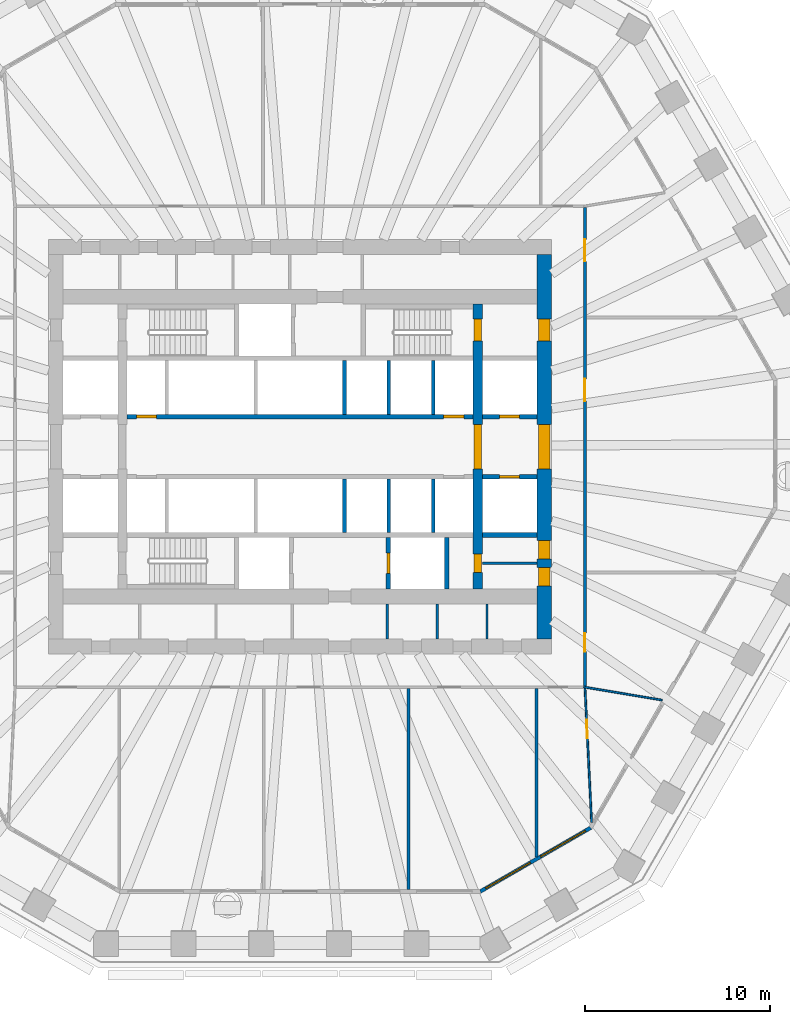
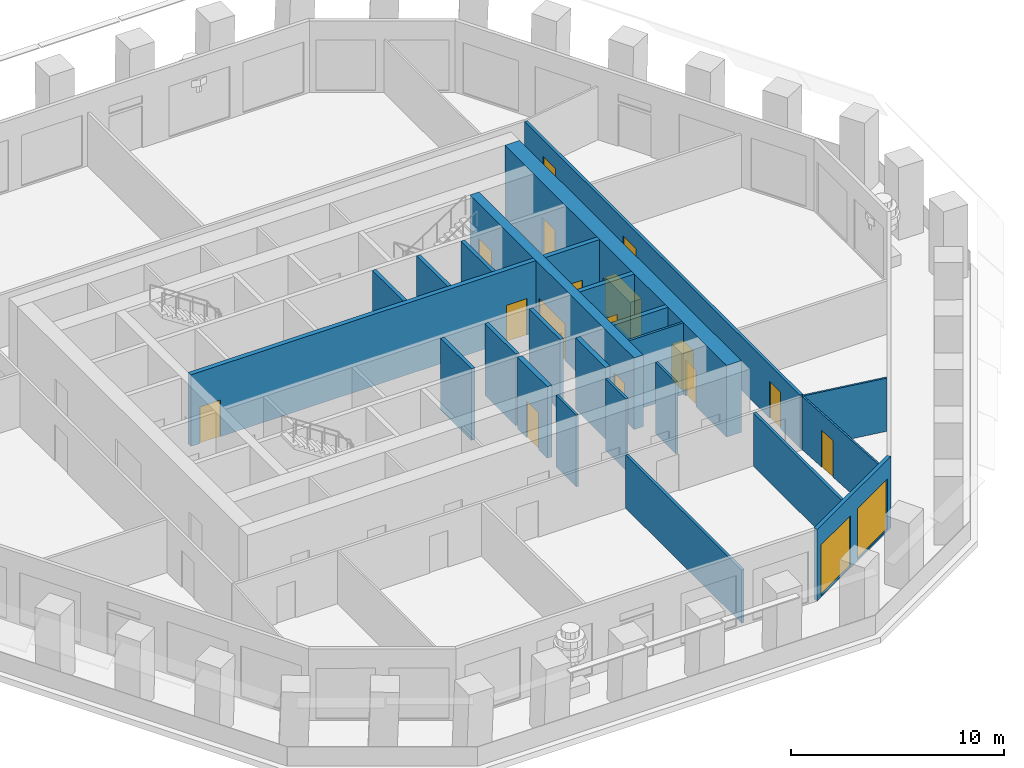
# One storey, part 5 of 12: 24 walls, 16 doors, 2 windows, 18 openings.
"""IFC4 building model written with IfcOpenShell, lengths in metres."""

from ifc_helpers import new_model, si_unit, direction, frame, frame_2d, origin, place, context, subcontext, project, spatial, polyline, rectangle, outline, extrude, material, layer, layer_set, type_object, element, fill, save


model = new_model("IFC4")

# Units and contexts
model_context = context("Model", 3, precision=1e-05, world=origin(), true_north=direction((0.0, 1.0)))
body_context = subcontext(model_context, "Body", "Model", "MODEL_VIEW")
ifc_project = project(units=[si_unit("LENGTHUNIT", "METRE"), si_unit("AREAUNIT", "SQUARE_METRE"), si_unit("VOLUMEUNIT", "CUBIC_METRE"), si_unit("PLANEANGLEUNIT", "RADIAN"), si_unit("MASSUNIT", "GRAM", prefix="KILO")], contexts=[model_context])

# Site, building, storey
site_placement = place(None, origin())
site = spatial("IfcSite", under=ifc_project, at=site_placement, CompositionType="ELEMENT")
building_placement = place(site_placement, origin())
building = spatial("IfcBuilding", under=site, at=building_placement, Name="Frailejon Research Tower", CompositionType="ELEMENT")
storey_placement = place(building_placement, frame((0.0, 0.0, 85.199951171875)))
storey = spatial("IfcBuildingStorey", under=building, at=storey_placement, Name="L18", CompositionType="ELEMENT", Elevation=85.199951171875)

# Walls
ifc_material_1 = material(Name="Plasterboard on steel studs", Category="steel")
ifc_layer_1 = layer(ifc_material_1, 0.125)
ifc_layer_set_1 = layer_set([ifc_layer_1], Name="Core partition 125")
wall_type_1 = type_object("IfcWallType", Name="Core partition 125", PredefinedType="PARTITIONING", material=ifc_layer_set_1)
wall_1_placement = place(storey_placement, frame((9.85009765625, -6.300048828125, 0.0), z_axis=(0.0, 0.0, 1.0), x_axis=(1.0, 0.0, 0.0)))
element("IfcWall", 1, at=wall_1_placement, inside=storey, type_object=wall_type_1, Name="Core partition", PredefinedType="PARTITIONING", context=body_context, shape_type="SweptSolid", body=[
    extrude(rectangle(XDim=2.949951171875, YDim=0.125, at=frame_2d((1.47509765625, 0.0))), origin(), (0.0, 0.0, 1.0), 4.10009765625),
])
for number, where, z_axis, x_axis, name in (
    (2, (4.71240234375, -10.39990234375, 0.0), (0.0, 0.0, 1.0), (0.0, 1.0, 0.0), "Core partition"),
    (3, (7.408203125, -10.39990234375, 0.0), (0.0, 0.0, 1.0), (0.0, 1.0, 0.0), "Core partition"),
    (4, (10.104248046875, -10.39990234375, 0.0), (0.0, 0.0, 1.0), (0.0, 1.0, 0.0), "Core partition"),
):
    element("IfcWall", number, at=place(storey_placement, frame(where, z_axis=z_axis, x_axis=x_axis)), inside=storey, type_object=wall_type_1, Name=name, PredefinedType="PARTITIONING", context=body_context, shape_type="SweptSolid", body=[
        extrude(rectangle(XDim=1.89990234375, YDim=0.125, at=frame_2d((0.949951171875, 0.0))), origin(), (0.0, 0.0, 1.0), 4.10009765625),
    ])

# Wall, openings, doors
ifc_material_2 = material(Name="Concrete C70/85", Category="concrete")
ifc_layer_2 = layer(ifc_material_2, 0.5)
ifc_layer_set_2 = layer_set([ifc_layer_2], Name="Core shear wall 500 C70/85")
wall_type_2 = type_object("IfcWallType", Name="Core shear wall 500 C70/85", PredefinedType="SHEAR", material=ifc_layer_set_2)
wall_2_placement = place(storey_placement, frame((9.60009765625, -7.699951171875, 0.0), z_axis=(0.0, 0.0, 1.0), x_axis=(0.0, 1.0, 0.0)))
wall_2 = element("IfcWall", 5, at=wall_2_placement, inside=storey, type_object=wall_type_2, Name="Core shear wall", PredefinedType="SHEAR", context=body_context, shape_type="SweptSolid", body=[
    extrude(rectangle(XDim=15.39990234375, YDim=0.5, at=frame_2d((7.699951171875, 0.0))), origin(), (0.0, 0.0, 1.0), 4.10009765625),
])
opening_1_placement = place(wall_2_placement, frame((6.5, 0.0, 0.0)))
opening_1 = element("IfcOpeningElement", 6, at=opening_1_placement, cuts=wall_2, Name="Opening D2", PredefinedType="OPENING", context=body_context, shape_type="SweptSolid", body=[
    extrude(rectangle(XDim=2.39990234375, YDim=2.10009765625, at=frame_2d((1.199951171875, 1.050048828125))), frame((0.0, 0.260009765625, 0.0), z_axis=(0.0, -1.0, 0.0), x_axis=(1.0, 0.0, 0.0)), (0.0, 0.0, 1.0), 0.52001953125),
])
opening_2_placement = place(wall_2_placement, frame((13.39990234375, 0.0, 0.0)))
opening_2 = element("IfcOpeningElement", 7, at=opening_2_placement, cuts=wall_2, Name="Opening D1", PredefinedType="OPENING", context=body_context, shape_type="SweptSolid", body=[
    extrude(rectangle(XDim=1.199951171875, YDim=2.10009765625, at=frame_2d((0.60009765625, 1.050048828125))), frame((0.0, 0.260009765625, 0.0), z_axis=(0.0, -1.0, 0.0), x_axis=(1.0, 0.0, 0.0)), (0.0, 0.0, 1.0), 0.52001953125),
])
opening_3_placement = place(wall_2_placement, frame((0.89990234375, 0.0, 0.0)))
opening_3 = element("IfcOpeningElement", 8, at=opening_3_placement, cuts=wall_2, Name="Opening D4", PredefinedType="OPENING", context=body_context, shape_type="SweptSolid", body=[
    extrude(rectangle(XDim=1.0, YDim=2.10009765625, at=frame_2d((0.5, 1.050048828125))), frame((0.0, 0.260009765625, 0.0), z_axis=(0.0, -1.0, 0.0), x_axis=(1.0, 0.0, 0.0)), (0.0, 0.0, 1.0), 0.52001953125),
])
ifc_material_3 = material(Name="Steel", Category="steel")
door_type_1 = type_object("IfcDoorType", Name="Lobby double door", OperationType="DOUBLE_DOOR_SINGLE_SWING", PredefinedType="DOOR", material=ifc_material_3)
door_1_placement = place(opening_1_placement, origin())
door_1 = element("IfcDoor", 9, at=door_1_placement, inside=storey, type_object=door_type_1, Name="Lobby door", OperationType="DOUBLE_DOOR_SINGLE_SWING", OverallHeight=2.10009765625, OverallWidth=2.39990234375, PredefinedType="DOOR", context=body_context, shape_type="SweptSolid", body=[
    extrude(rectangle(XDim=2.39990234375, YDim=2.10009765625, at=frame_2d((1.199951171875, 1.050048828125))), frame((0.0, 0.199951171875, 0.0), z_axis=(0.0, -1.0, 0.0), x_axis=(1.0, 0.0, 0.0)), (0.0, 0.0, 1.0), 0.39990234375),
])
fill(opening_1, door_1)
ifc_material_4 = material(Name="Steel", Category="steel")
door_type_2 = type_object("IfcDoorType", Name="Service door", OperationType="SINGLE_SWING_LEFT", PredefinedType="DOOR", material=ifc_material_4)
door_2_placement = place(opening_3_placement, origin())
door_2 = element("IfcDoor", 10, at=door_2_placement, inside=storey, type_object=door_type_2, Name="Riser door", OperationType="SINGLE_SWING_LEFT", OverallHeight=2.10009765625, OverallWidth=1.0, PredefinedType="DOOR", context=body_context, shape_type="SweptSolid", body=[
    extrude(rectangle(XDim=1.0, YDim=2.10009765625, at=frame_2d((0.5, 1.050048828125))), frame((0.0, 0.199951171875, 0.0), z_axis=(0.0, -1.0, 0.0), x_axis=(1.0, 0.0, 0.0)), (0.0, 0.0, 1.0), 0.39990234375),
])
fill(opening_3, door_2)
ifc_material_5 = material(Name="Steel", Category="steel")
door_type_3 = type_object("IfcDoorType", Name="Stair door", OperationType="SINGLE_SWING_LEFT", PredefinedType="DOOR", material=ifc_material_5)
door_3_placement = place(opening_2_placement, origin())
door_3 = element("IfcDoor", 11, at=door_3_placement, inside=storey, type_object=door_type_3, Name="Stair door ST3", OperationType="SINGLE_SWING_LEFT", OverallHeight=2.10009765625, OverallWidth=1.199951171875, PredefinedType="DOOR", context=body_context, shape_type="SweptSolid", body=[
    extrude(rectangle(XDim=1.199951171875, YDim=2.10009765625, at=frame_2d((0.60009765625, 1.050048828125))), frame((0.0, 0.199951171875, 0.0), z_axis=(0.0, -1.0, 0.0), x_axis=(1.0, 0.0, 0.0)), (0.0, 0.0, 1.0), 0.39990234375),
])
fill(opening_2, door_3)

ifc_material_6 = material(Name="Concrete C70/85", Category="concrete")
ifc_layer_3 = layer(ifc_material_6, 0.800048828125)
ifc_layer_set_3 = layer_set([ifc_layer_3], Name="Core shear wall 800 C70/85")
wall_type_3 = type_object("IfcWallType", Name="Core shear wall 800 C70/85", PredefinedType="SHEAR", material=ifc_layer_set_3)
wall_3_placement = place(storey_placement, frame((13.199951171875, -10.39990234375, 0.0), z_axis=(0.0, 0.0, 1.0), x_axis=(0.0, 1.0, 0.0)))
wall_3 = element("IfcWall", 12, at=wall_3_placement, inside=storey, type_object=wall_type_3, Name="Core shear wall", PredefinedType="SHEAR", context=body_context, shape_type="SweptSolid", body=[
    extrude(rectangle(XDim=20.7998046875, YDim=0.800048828125, at=frame_2d((10.39990234375, 0.0))), origin(), (0.0, 0.0, 1.0), 4.10009765625),
])
opening_4_placement = place(wall_3_placement, frame((9.199951171875, 0.0, 0.0)))
opening_4 = element("IfcOpeningElement", 13, at=opening_4_placement, cuts=wall_3, Name="Opening D2", PredefinedType="OPENING", context=body_context, shape_type="SweptSolid", body=[
    extrude(rectangle(XDim=2.39990234375, YDim=2.10009765625, at=frame_2d((1.199951171875, 1.050048828125))), frame((0.0, 0.409912109375, 0.0), z_axis=(0.0, -1.0, 0.0), x_axis=(1.0, 0.0, 0.0)), (0.0, 0.0, 1.0), 0.820068359375),
])
opening_5_placement = place(wall_3_placement, frame((16.10009765625, 0.0, 0.0)))
opening_5 = element("IfcOpeningElement", 14, at=opening_5_placement, cuts=wall_3, Name="Opening D7", PredefinedType="OPENING", context=body_context, shape_type="SweptSolid", body=[
    extrude(rectangle(XDim=1.199951171875, YDim=2.10009765625, at=frame_2d((0.60009765625, 1.050048828125))), frame((0.0, 0.409912109375, 0.0), z_axis=(0.0, -1.0, 0.0), x_axis=(1.0, 0.0, 0.0)), (0.0, 0.0, 1.0), 0.820068359375),
])
opening_6_placement = place(wall_3_placement, frame((2.868896484375, 0.0, 0.0)))
opening_6 = element("IfcOpeningElement", 15, at=opening_6_placement, cuts=wall_3, Name="Opening D4", PredefinedType="OPENING", context=body_context, shape_type="SweptSolid", body=[
    extrude(rectangle(XDim=1.0, YDim=2.10009765625, at=frame_2d((0.5, 1.050048828125))), frame((0.0, 0.409912109375, 0.0), z_axis=(0.0, -1.0, 0.0), x_axis=(1.0, 0.0, 0.0)), (0.0, 0.0, 1.0), 0.820068359375),
])
opening_7_placement = place(wall_3_placement, frame((4.331298828125, 0.0, 0.0)))
opening_7 = element("IfcOpeningElement", 16, at=opening_7_placement, cuts=wall_3, Name="Opening D4", PredefinedType="OPENING", context=body_context, shape_type="SweptSolid", body=[
    extrude(rectangle(XDim=1.0, YDim=2.10009765625, at=frame_2d((0.5, 1.050048828125))), frame((0.0, 0.409912109375, 0.0), z_axis=(0.0, -1.0, 0.0), x_axis=(1.0, 0.0, 0.0)), (0.0, 0.0, 1.0), 0.820068359375),
])
door_4_placement = place(opening_4_placement, origin())
door_4 = element("IfcDoor", 17, at=door_4_placement, inside=storey, type_object=door_type_1, Name="Lobby door", OperationType="DOUBLE_DOOR_SINGLE_SWING", OverallHeight=2.10009765625, OverallWidth=2.39990234375, PredefinedType="DOOR", context=body_context, shape_type="SweptSolid", body=[
    extrude(rectangle(XDim=2.39990234375, YDim=2.10009765625, at=frame_2d((1.199951171875, 1.050048828125))), frame((0.0, 0.300048828125, 0.0), z_axis=(0.0, -1.0, 0.0), x_axis=(1.0, 0.0, 0.0)), (0.0, 0.0, 1.0), 0.60009765625),
])
fill(opening_4, door_4)
door_5_placement = place(opening_6_placement, origin())
door_5 = element("IfcDoor", 18, at=door_5_placement, inside=storey, type_object=door_type_2, Name="Store door", OperationType="SINGLE_SWING_RIGHT", OverallHeight=2.10009765625, OverallWidth=1.0, PredefinedType="DOOR", context=body_context, shape_type="SweptSolid", body=[
    extrude(rectangle(XDim=1.0, YDim=2.10009765625, at=frame_2d((0.5, 1.050048828125))), frame((0.0, 0.300048828125, 0.0), z_axis=(0.0, -1.0, 0.0), x_axis=(1.0, 0.0, 0.0)), (0.0, 0.0, 1.0), 0.60009765625),
])
fill(opening_6, door_5)
door_6_placement = place(opening_7_placement, origin())
door_6 = element("IfcDoor", 19, at=door_6_placement, inside=storey, type_object=door_type_2, Name="Store door", OperationType="SINGLE_SWING_LEFT", OverallHeight=2.10009765625, OverallWidth=1.0, PredefinedType="DOOR", context=body_context, shape_type="SweptSolid", body=[
    extrude(rectangle(XDim=1.0, YDim=2.10009765625, at=frame_2d((0.5, 1.050048828125))), frame((0.0, 0.300048828125, 0.0), z_axis=(0.0, -1.0, 0.0), x_axis=(1.0, 0.0, 0.0)), (0.0, 0.0, 1.0), 0.60009765625),
])
fill(opening_7, door_6)
ifc_material_7 = material(Name="Steel", Category="steel")
door_type_4 = type_object("IfcDoorType", Name="Stair exit door", OperationType="SINGLE_SWING_LEFT", PredefinedType="DOOR", material=ifc_material_7)
door_7_placement = place(opening_5_placement, origin())
door_7 = element("IfcDoor", 20, at=door_7_placement, inside=storey, type_object=door_type_4, Name="Stair exit door ST3", OperationType="SINGLE_SWING_RIGHT", OverallHeight=2.10009765625, OverallWidth=1.199951171875, PredefinedType="DOOR", context=body_context, shape_type="SweptSolid", body=[
    extrude(rectangle(XDim=1.199951171875, YDim=2.10009765625, at=frame_2d((0.60009765625, 1.050048828125))), frame((0.0, 0.300048828125, 0.0), z_axis=(0.0, -1.0, 0.0), x_axis=(1.0, 0.0, 0.0)), (0.0, 0.0, 1.0), 0.60009765625),
])
fill(opening_5, door_7)

ifc_material_8 = material(Name="Gypsum board and masonry partition", Category="masonry")
ifc_layer_4 = layer(ifc_material_8, 0.14990234375)
ifc_layer_set_4 = layer_set([ifc_layer_4], Name="Corridor wall EI 60, gypsum on steel studs 150")
wall_type_4 = type_object("IfcWallType", Name="Corridor wall EI 60, gypsum on steel studs 150", PredefinedType="PARTITIONING", material=ifc_layer_set_4)
wall_4_placement = place(storey_placement, frame((15.39990234375, -12.925048828125, 0.0), z_axis=(0.0, 0.0, 1.0), x_axis=(0.0, 1.0, 0.0)))
wall_4 = element("IfcWall", 21, at=wall_4_placement, inside=storey, type_object=wall_type_4, Name="T:IW:L18:001", PredefinedType="PARTITIONING", context=body_context, shape_type="SweptSolid", body=[
    extrude(rectangle(XDim=25.85009765625, YDim=0.14990234375, at=frame_2d((12.925048828125, 0.0))), origin(), (0.0, 0.0, 1.0), 3.050048828125),
])
opening_8_placement = place(wall_4_placement, frame((15.392822265625, 0.0, 0.0)))
opening_8 = element("IfcOpeningElement", 22, at=opening_8_placement, cuts=wall_4, Name="Opening D1498", PredefinedType="OPENING", context=body_context, shape_type="SweptSolid", body=[
    extrude(rectangle(XDim=1.199951171875, YDim=2.10009765625, at=frame_2d((0.60009765625, 1.050048828125))), frame((0.0, 0.0849609375, 0.0), z_axis=(0.0, -1.0, 0.0), x_axis=(1.0, 0.0, 0.0)), (0.0, 0.0, 1.0), 0.169921875),
])
opening_9_placement = place(wall_4_placement, frame((22.936279296875, 0.0, 0.0)))
opening_9 = element("IfcOpeningElement", 23, at=opening_9_placement, cuts=wall_4, Name="Opening D1499", PredefinedType="OPENING", context=body_context, shape_type="SweptSolid", body=[
    extrude(rectangle(XDim=1.199951171875, YDim=2.10009765625, at=frame_2d((0.60009765625, 1.050048828125))), frame((0.0, 0.0849609375, 0.0), z_axis=(0.0, -1.0, 0.0), x_axis=(1.0, 0.0, 0.0)), (0.0, 0.0, 1.0), 0.169921875),
])
opening_10_placement = place(wall_4_placement, frame((1.8515625, 0.0, 0.0)))
opening_10 = element("IfcOpeningElement", 24, at=opening_10_placement, cuts=wall_4, Name="Opening D1512", PredefinedType="OPENING", context=body_context, shape_type="SweptSolid", body=[
    extrude(rectangle(XDim=1.0, YDim=2.10009765625, at=frame_2d((0.5, 1.050048828125))), frame((0.0, 0.0849609375, 0.0), z_axis=(0.0, -1.0, 0.0), x_axis=(1.0, 0.0, 0.0)), (0.0, 0.0, 1.0), 0.169921875),
])
ifc_material_9 = material(Name="Timber door leaf", Category="wood")
door_type_5 = type_object("IfcDoorType", Name="Door laboratory, timber, vision panel 1200", OperationType="NOTDEFINED", PredefinedType="DOOR", material=ifc_material_9)
door_8_placement = place(opening_8_placement, origin())
door_8 = element("IfcDoor", 25, at=door_8_placement, inside=storey, type_object=door_type_5, Name="D1498", OperationType="DOUBLE_DOOR_SINGLE_SWING", OverallHeight=2.10009765625, OverallWidth=1.199951171875, PredefinedType="DOOR", context=body_context, shape_type="SweptSolid", body=[
    extrude(rectangle(XDim=1.199951171875, YDim=2.10009765625, at=frame_2d((0.60009765625, 1.050048828125))), frame((0.0, 0.02490234375, 0.0), z_axis=(0.0, -1.0, 0.0), x_axis=(1.0, 0.0, 0.0)), (0.0, 0.0, 1.0), 0.050048828125),
])
fill(opening_8, door_8)
ifc_material_10 = material(Name="Timber door leaf", Category="wood")
door_type_6 = type_object("IfcDoorType", Name="Door single leaf, timber, steel frame 1000", OperationType="NOTDEFINED", PredefinedType="DOOR", material=ifc_material_10)
door_9_placement = place(opening_10_placement, origin())
door_9 = element("IfcDoor", 26, at=door_9_placement, inside=storey, type_object=door_type_6, Name="D1512", OperationType="SINGLE_SWING_RIGHT", OverallHeight=2.10009765625, OverallWidth=1.0, PredefinedType="DOOR", context=body_context, shape_type="SweptSolid", body=[
    extrude(rectangle(XDim=1.0, YDim=2.10009765625, at=frame_2d((0.5, 1.050048828125))), frame((0.0, 0.02490234375, 0.0), z_axis=(0.0, -1.0, 0.0), x_axis=(1.0, 0.0, 0.0)), (0.0, 0.0, 1.0), 0.050048828125),
])
fill(opening_10, door_9)
ifc_material_11 = material(Name="Timber door leaf", Category="wood")
door_type_7 = type_object("IfcDoorType", Name="Door single leaf, timber, steel frame 1200", OperationType="NOTDEFINED", PredefinedType="DOOR", material=ifc_material_11)
door_10_placement = place(opening_9_placement, origin())
door_10 = element("IfcDoor", 27, at=door_10_placement, inside=storey, type_object=door_type_7, Name="D1499", OperationType="DOUBLE_DOOR_SINGLE_SWING", OverallHeight=2.10009765625, OverallWidth=1.199951171875, PredefinedType="DOOR", context=body_context, shape_type="SweptSolid", body=[
    extrude(rectangle(XDim=1.199951171875, YDim=2.10009765625, at=frame_2d((0.60009765625, 1.050048828125))), frame((0.0, 0.02490234375, 0.0), z_axis=(0.0, -1.0, 0.0), x_axis=(1.0, 0.0, 0.0)), (0.0, 0.0, 1.0), 0.050048828125),
])
fill(opening_9, door_10)

# Walls
ifc_material_12 = material(Name="Gypsum board and masonry partition", Category="masonry")
ifc_layer_5 = layer(ifc_material_12, 0.14990234375)
ifc_layer_set_5 = layer_set([ifc_layer_5], Name="Laboratory partition, blockwork 150")
wall_type_5 = type_object("IfcWallType", Name="Laboratory partition, blockwork 150", PredefinedType="PARTITIONING", material=ifc_layer_set_5)
wall_5_placement = place(storey_placement, frame((5.865966796875, -23.938232421875, 0.0), z_axis=(0.0, 0.0, 1.0), x_axis=(0.0, 1.0, 0.0)))
element("IfcWall", 28, at=wall_5_placement, inside=storey, type_object=wall_type_5, Name="T:IW:L18:012", PredefinedType="PARTITIONING", context=body_context, shape_type="SweptSolid", body=[
    extrude(rectangle(XDim=10.86328125, YDim=0.14990234375, at=frame_2d((5.431640625, 0.0))), origin(), (0.0, 0.0, 1.0), 3.050048828125),
])
wall_6_placement = place(storey_placement, frame((12.776611328125, -22.17529296875, 0.0), z_axis=(0.0, 0.0, 1.0), x_axis=(0.0, 1.0, 0.0)))
element("IfcWall", 29, at=wall_6_placement, inside=storey, type_object=wall_type_5, Name="T:IW:L18:013", PredefinedType="PARTITIONING", context=body_context, shape_type="SweptSolid", body=[
    extrude(rectangle(XDim=9.100341796875, YDim=0.14990234375, at=frame_2d((4.55029296875, 0.0))), origin(), (0.0, 0.0, 1.0), 3.050048828125),
])

# Wall, opening, door
ifc_material_13 = material(Name="Gypsum board and masonry partition", Category="masonry")
ifc_layer_6 = layer(ifc_material_13, 0.10009765625)
ifc_layer_set_6 = layer_set([ifc_layer_6], Name="Partition, gypsum on steel studs 100")
wall_type_6 = type_object("IfcWallType", Name="Partition, gypsum on steel studs 100", PredefinedType="PARTITIONING", material=ifc_layer_set_6)
wall_7_placement = place(storey_placement, frame((15.402587890625, -13.0498046875, 0.0), z_axis=(0.0, 0.0, 1.0), x_axis=(0.049000591433, -0.998798749518, 0.0)))
wall_7 = element("IfcWall", 30, at=wall_7_placement, inside=storey, type_object=wall_type_6, Name="T:IW:L18:018", PredefinedType="PARTITIONING", context=body_context, shape_type="SweptSolid", body=[
    extrude(rectangle(XDim=7.264404296875, YDim=0.10009765625, at=frame_2d((3.63232421875, 0.0))), origin(), (0.0, 0.0, 1.0), 3.050048828125),
])
opening_11_placement = place(wall_7_placement, frame((1.70361328125, 0.0, 0.0)))
opening_11 = element("IfcOpeningElement", 31, at=opening_11_placement, cuts=wall_7, Name="Opening D1511", PredefinedType="OPENING", context=body_context, shape_type="SweptSolid", body=[
    extrude(rectangle(XDim=1.0, YDim=2.10009765625, at=frame_2d((0.5, 1.050048828125))), frame((0.0, 0.06005859375, 0.0), z_axis=(0.0, -1.0, 0.0), x_axis=(1.0, 0.0, 0.0)), (0.0, 0.0, 1.0), 0.1201171875),
])
door_11_placement = place(opening_11_placement, origin())
door_11 = element("IfcDoor", 32, at=door_11_placement, inside=storey, type_object=door_type_6, Name="D1511", OperationType="SINGLE_SWING_RIGHT", OverallHeight=2.10009765625, OverallWidth=1.0, PredefinedType="DOOR", context=body_context, shape_type="SweptSolid", body=[
    extrude(rectangle(XDim=1.0, YDim=2.10009765625, at=frame_2d((0.5, 1.050048828125))), frame((0.0, 0.02490234375, 0.0), z_axis=(0.0, -1.0, 0.0), x_axis=(1.0, 0.0, 0.0)), (0.0, 0.0, 1.0), 0.050048828125),
])
fill(opening_11, door_11)

# Walls
wall_8_placement = place(storey_placement, frame((15.325927734375, -12.987548828125, 0.0), z_axis=(0.0, 0.0, 1.0), x_axis=(0.986237170297, -0.165336759146, 0.0)))
element("IfcWall", 33, at=wall_8_placement, inside=storey, type_object=wall_type_6, Name="T:IW:L18:019", PredefinedType="PARTITIONING", context=body_context, shape_type="SweptSolid", body=[
    extrude(rectangle(XDim=4.305908203125, YDim=0.10009765625, at=frame_2d((2.15283203125, 0.0))), origin(), (0.0, 0.0, 1.0), 3.050048828125),
])
ifc_material_14 = material(Name="Concrete C70/85", Category="concrete")
ifc_layer_7 = layer(ifc_material_14, 0.199951171875)
ifc_layer_set_7 = layer_set([ifc_layer_7], Name="Shaft wall 200 C70/85")
wall_type_7 = type_object("IfcWallType", Name="Shaft wall 200 C70/85", PredefinedType="SOLIDWALL", material=ifc_layer_set_7)
for number, where, z_axis, x_axis, name in (
    (34, (2.39990234375, 1.75, 0.0), (0.0, 0.0, 1.0), (0.0, 1.0, 0.0), "Shaft wall"),
    (35, (4.800048828125, 1.75, 0.0), (0.0, 0.0, 1.0), (0.0, 1.0, 0.0), "Shaft wall"),
    (36, (7.199951171875, 1.75, 0.0), (0.0, 0.0, 1.0), (0.0, 1.0, 0.0), "Shaft wall"),
    (37, (2.39990234375, -4.64990234375, 0.0), (0.0, 0.0, 1.0), (0.0, 1.0, 0.0), "Shaft wall"),
    (38, (4.800048828125, -4.64990234375, 0.0), (0.0, 0.0, 1.0), (0.0, 1.0, 0.0), "Shaft wall"),
    (39, (7.199951171875, -4.64990234375, 0.0), (0.0, 0.0, 1.0), (0.0, 1.0, 0.0), "Shaft wall"),
):
    element("IfcWall", number, at=place(storey_placement, frame(where, z_axis=z_axis, x_axis=x_axis)), inside=storey, type_object=wall_type_7, Name=name, PredefinedType="SOLIDWALL", context=body_context, shape_type="SweptSolid", body=[
        extrude(rectangle(XDim=2.89990234375, YDim=0.199951171875, at=frame_2d((1.449951171875, 0.0))), origin(), (0.0, 0.0, 1.0), 4.10009765625),
    ])

# Wall, openings, doors
ifc_material_15 = material(Name="Concrete C70/85", Category="concrete")
ifc_layer_8 = layer(ifc_material_15, 0.25)
ifc_layer_set_8 = layer_set([ifc_layer_8], Name="Shaft wall 250 C70/85")
wall_type_8 = type_object("IfcWallType", Name="Shaft wall 250 C70/85", PredefinedType="SOLIDWALL", material=ifc_layer_set_8)
wall_9_placement = place(storey_placement, frame((-9.35009765625, 1.625, 0.0), z_axis=(0.0, 0.0, 1.0), x_axis=(1.0, 0.0, 0.0)))
wall_9 = element("IfcWall", 40, at=wall_9_placement, inside=storey, type_object=wall_type_8, Name="Shaft wall", PredefinedType="SOLIDWALL", context=body_context, shape_type="SweptSolid", body=[
    extrude(rectangle(XDim=18.7001953125, YDim=0.25, at=frame_2d((9.35009765625, 0.0))), origin(), (0.0, 0.0, 1.0), 4.10009765625),
])
opening_12_placement = place(wall_9_placement, frame((0.5, 0.0, 0.0)))
opening_12 = element("IfcOpeningElement", 41, at=opening_12_placement, cuts=wall_9, Name="Opening LD", PredefinedType="OPENING", context=body_context, shape_type="SweptSolid", body=[
    extrude(rectangle(XDim=1.10009765625, YDim=2.10009765625, at=frame_2d((0.550048828125, 1.050048828125))), frame((0.0, 0.135009765625, 0.0), z_axis=(0.0, -1.0, 0.0), x_axis=(1.0, 0.0, 0.0)), (0.0, 0.0, 1.0), 0.27001953125),
])
opening_13_placement = place(wall_9_placement, frame((17.10009765625, 0.0, 0.0)))
opening_13 = element("IfcOpeningElement", 42, at=opening_13_placement, cuts=wall_9, Name="Opening LD", PredefinedType="OPENING", context=body_context, shape_type="SweptSolid", body=[
    extrude(rectangle(XDim=1.10009765625, YDim=2.10009765625, at=frame_2d((0.550048828125, 1.050048828125))), frame((0.0, 0.135009765625, 0.0), z_axis=(0.0, -1.0, 0.0), x_axis=(1.0, 0.0, 0.0)), (0.0, 0.0, 1.0), 0.27001953125),
])
ifc_material_16 = material(Name="Steel", Category="steel")
door_type_8 = type_object("IfcDoorType", Name="Lift landing door", OperationType="DOUBLE_DOOR_SLIDING", PredefinedType="DOOR", material=ifc_material_16)
door_12_placement = place(opening_12_placement, origin())
door_12 = element("IfcDoor", 43, at=door_12_placement, inside=storey, type_object=door_type_8, Name="Lift landing door", OperationType="DOUBLE_DOOR_SLIDING", OverallHeight=2.10009765625, OverallWidth=1.10009765625, PredefinedType="DOOR", context=body_context, shape_type="SweptSolid", body=[
    extrude(rectangle(XDim=1.10009765625, YDim=2.10009765625, at=frame_2d((0.550048828125, 1.050048828125))), frame((0.0, 0.074951171875, 0.0), z_axis=(0.0, -1.0, 0.0), x_axis=(1.0, 0.0, 0.0)), (0.0, 0.0, 1.0), 0.14990234375),
])
fill(opening_12, door_12)
door_13_placement = place(opening_13_placement, origin())
door_13 = element("IfcDoor", 44, at=door_13_placement, inside=storey, type_object=door_type_8, Name="Lift landing door", OperationType="DOUBLE_DOOR_SLIDING", OverallHeight=2.10009765625, OverallWidth=1.10009765625, PredefinedType="DOOR", context=body_context, shape_type="SweptSolid", body=[
    extrude(rectangle(XDim=1.10009765625, YDim=2.10009765625, at=frame_2d((0.550048828125, 1.050048828125))), frame((0.0, 0.074951171875, 0.0), z_axis=(0.0, -1.0, 0.0), x_axis=(1.0, 0.0, 0.0)), (0.0, 0.0, 1.0), 0.14990234375),
])
fill(opening_13, door_13)

# Wall, opening, door
wall_10_placement = place(storey_placement, frame((9.85009765625, 1.625, 0.0), z_axis=(0.0, 0.0, 1.0), x_axis=(1.0, 0.0, 0.0)))
wall_10 = element("IfcWall", 45, at=wall_10_placement, inside=storey, type_object=wall_type_8, Name="Shaft wall", PredefinedType="SOLIDWALL", context=body_context, shape_type="SweptSolid", body=[
    extrude(rectangle(XDim=2.949951171875, YDim=0.25, at=frame_2d((1.47509765625, 0.0))), origin(), (0.0, 0.0, 1.0), 4.10009765625),
])
opening_14_placement = place(wall_10_placement, frame((0.925048828125, 0.0, 0.0)))
opening_14 = element("IfcOpeningElement", 46, at=opening_14_placement, cuts=wall_10, Name="Opening LD", PredefinedType="OPENING", context=body_context, shape_type="SweptSolid", body=[
    extrude(rectangle(XDim=1.10009765625, YDim=2.10009765625, at=frame_2d((0.550048828125, 1.050048828125))), frame((0.0, 0.135009765625, 0.0), z_axis=(0.0, -1.0, 0.0), x_axis=(1.0, 0.0, 0.0)), (0.0, 0.0, 1.0), 0.27001953125),
])
door_14_placement = place(opening_14_placement, origin())
door_14 = element("IfcDoor", 47, at=door_14_placement, inside=storey, type_object=door_type_8, Name="Lift landing door", OperationType="DOUBLE_DOOR_SLIDING", OverallHeight=2.10009765625, OverallWidth=1.10009765625, PredefinedType="DOOR", context=body_context, shape_type="SweptSolid", body=[
    extrude(rectangle(XDim=1.10009765625, YDim=2.10009765625, at=frame_2d((0.550048828125, 1.050048828125))), frame((0.0, 0.074951171875, 0.0), z_axis=(0.0, -1.0, 0.0), x_axis=(1.0, 0.0, 0.0)), (0.0, 0.0, 1.0), 0.14990234375),
])
fill(opening_14, door_14)

wall_11_placement = place(storey_placement, frame((9.85009765625, -1.625, 0.0), z_axis=(0.0, 0.0, 1.0), x_axis=(1.0, 0.0, 0.0)))
wall_11 = element("IfcWall", 48, at=wall_11_placement, inside=storey, type_object=wall_type_8, Name="Shaft wall", PredefinedType="SOLIDWALL", context=body_context, shape_type="SweptSolid", body=[
    extrude(rectangle(XDim=2.949951171875, YDim=0.25, at=frame_2d((1.47509765625, 0.0))), origin(), (0.0, 0.0, 1.0), 4.10009765625),
])
opening_15_placement = place(wall_11_placement, frame((0.925048828125, 0.0, 0.0)))
opening_15 = element("IfcOpeningElement", 49, at=opening_15_placement, cuts=wall_11, Name="Opening LD", PredefinedType="OPENING", context=body_context, shape_type="SweptSolid", body=[
    extrude(rectangle(XDim=1.10009765625, YDim=2.10009765625, at=frame_2d((0.550048828125, 1.050048828125))), frame((0.0, 0.135009765625, 0.0), z_axis=(0.0, -1.0, 0.0), x_axis=(1.0, 0.0, 0.0)), (0.0, 0.0, 1.0), 0.27001953125),
])
door_15_placement = place(opening_15_placement, origin())
door_15 = element("IfcDoor", 50, at=door_15_placement, inside=storey, type_object=door_type_8, Name="Lift landing door", OperationType="DOUBLE_DOOR_SLIDING", OverallHeight=2.10009765625, OverallWidth=1.10009765625, PredefinedType="DOOR", context=body_context, shape_type="SweptSolid", body=[
    extrude(rectangle(XDim=1.10009765625, YDim=2.10009765625, at=frame_2d((0.550048828125, 1.050048828125))), frame((0.0, 0.074951171875, 0.0), z_axis=(0.0, -1.0, 0.0), x_axis=(1.0, 0.0, 0.0)), (0.0, 0.0, 1.0), 0.14990234375),
])
fill(opening_15, door_15)

# Wall
wall_12_placement = place(storey_placement, frame((9.85009765625, -4.77490234375, 0.0), z_axis=(0.0, 0.0, 1.0), x_axis=(1.0, 0.0, 0.0)))
element("IfcWall", 51, at=wall_12_placement, inside=storey, type_object=wall_type_8, Name="Shaft wall", PredefinedType="SOLIDWALL", context=body_context, shape_type="SweptSolid", body=[
    extrude(rectangle(XDim=2.949951171875, YDim=0.25, at=frame_2d((1.47509765625, 0.0))), origin(), (0.0, 0.0, 1.0), 4.10009765625),
])

# Wall, opening, door
wall_13_placement = place(storey_placement, frame((4.77490234375, -7.699951171875, 0.0), z_axis=(0.0, 0.0, 1.0), x_axis=(0.0, 1.0, 0.0)))
wall_13 = element("IfcWall", 52, at=wall_13_placement, inside=storey, type_object=wall_type_8, Name="Shaft wall", PredefinedType="SOLIDWALL", context=body_context, shape_type="SweptSolid", body=[
    extrude(rectangle(XDim=2.800048828125, YDim=0.25, at=frame_2d((1.39990234375, 0.0))), origin(), (0.0, 0.0, 1.0), 4.10009765625),
])
opening_16_placement = place(wall_13_placement, frame((0.85009765625, 0.0, 0.0)))
opening_16 = element("IfcOpeningElement", 53, at=opening_16_placement, cuts=wall_13, Name="Opening LD", PredefinedType="OPENING", context=body_context, shape_type="SweptSolid", body=[
    extrude(rectangle(XDim=1.10009765625, YDim=2.10009765625, at=frame_2d((0.550048828125, 1.050048828125))), frame((0.0, 0.135009765625, 0.0), z_axis=(0.0, -1.0, 0.0), x_axis=(1.0, 0.0, 0.0)), (0.0, 0.0, 1.0), 0.27001953125),
])
door_16_placement = place(opening_16_placement, origin())
door_16 = element("IfcDoor", 54, at=door_16_placement, inside=storey, type_object=door_type_8, Name="Lift landing door", OperationType="DOUBLE_DOOR_SLIDING", OverallHeight=2.10009765625, OverallWidth=1.10009765625, PredefinedType="DOOR", context=body_context, shape_type="SweptSolid", body=[
    extrude(rectangle(XDim=1.10009765625, YDim=2.10009765625, at=frame_2d((0.550048828125, 1.050048828125))), frame((0.0, 0.074951171875, 0.0), z_axis=(0.0, -1.0, 0.0), x_axis=(1.0, 0.0, 0.0)), (0.0, 0.0, 1.0), 0.14990234375),
])
fill(opening_16, door_16)

# Wall
wall_14_placement = place(storey_placement, frame((7.925048828125, -7.699951171875, 0.0), z_axis=(0.0, 0.0, 1.0), x_axis=(0.0, 1.0, 0.0)))
element("IfcWall", 55, at=wall_14_placement, inside=storey, type_object=wall_type_8, Name="Shaft wall", PredefinedType="SOLIDWALL", context=body_context, shape_type="SweptSolid", body=[
    extrude(rectangle(XDim=2.800048828125, YDim=0.25, at=frame_2d((1.39990234375, 0.0))), origin(), (0.0, 0.0, 1.0), 4.10009765625),
])

# Wall, openings, windows
ifc_material_17 = material(Name="Concrete C40/50 precast window wall panel", Category="concrete")
ifc_layer_9 = layer(ifc_material_17, 0.199951171875)
ifc_layer_set_9 = layer_set([ifc_layer_9], Name="Window wall 200")
wall_type_9 = type_object("IfcWallType", Name="Window wall 200", PredefinedType="SOLIDWALL", material=ifc_layer_set_9)
wall_15_placement = place(storey_placement, frame((9.749755859375, -24.038330078125, 0.0), z_axis=(0.0, 0.0, 1.0), x_axis=(0.866029458321, 0.49999297727, 0.0)))
wall_15 = element("IfcWall", 56, at=wall_15_placement, inside=storey, type_object=wall_type_9, Name="Exterior wall L18", PredefinedType="SOLIDWALL", context=body_context, shape_type="SweptSolid", body=[
    extrude(outline(polyline([(-0.02685546875, -0.10009765625), (1.1279296875, -0.10009765625), (2.282470703125, -0.10009765625), (3.437255859375, -0.10009765625), (4.592041015625, -0.10009765625), (5.74658203125, -0.10009765625), (6.9013671875, -0.10009765625), (6.84765625, 0.10009765625), (5.7109375, 0.10009765625), (4.573974609375, 0.10009765625), (3.437255859375, 0.10009765625), (2.300537109375, 0.10009765625), (1.16357421875, 0.10009765625), (0.02685546875, 0.10009765625), (-0.02685546875, -0.10009765625)])), origin(), (0.0, 0.0, 1.0), 4.10009765625),
])
opening_17_placement = place(wall_15_placement, frame((0.318603515625, 0.0, 0.10009765625)))
opening_17 = element("IfcOpeningElement", 57, at=opening_17_placement, cuts=wall_15, Name="Opening W3", PredefinedType="OPENING", context=body_context, shape_type="SweptSolid", body=[
    extrude(rectangle(XDim=2.800048828125, YDim=2.89990234375, at=frame_2d((1.39990234375, 1.449951171875))), frame((0.0, 0.10986328125, 0.0), z_axis=(0.0, -1.0, 0.0), x_axis=(1.0, 0.0, 0.0)), (0.0, 0.0, 1.0), 0.219970703125),
])
opening_18_placement = place(wall_15_placement, frame((3.756103515625, 0.0, 0.10009765625)))
opening_18 = element("IfcOpeningElement", 58, at=opening_18_placement, cuts=wall_15, Name="Opening W3", PredefinedType="OPENING", context=body_context, shape_type="SweptSolid", body=[
    extrude(rectangle(XDim=2.800048828125, YDim=2.89990234375, at=frame_2d((1.39990234375, 1.449951171875))), frame((0.0, 0.10986328125, 0.0), z_axis=(0.0, -1.0, 0.0), x_axis=(1.0, 0.0, 0.0)), (0.0, 0.0, 1.0), 0.219970703125),
])
ifc_material_18 = material(Name="Aluminium framed double glazing", Category="aluminium")
window_type = type_object("IfcWindowType", Name="Window 2800x2900", PartitioningType="SINGLE_PANEL", PredefinedType="WINDOW", material=ifc_material_18)
window_1_placement = place(opening_17_placement, origin())
window_1 = element("IfcWindow", 59, at=window_1_placement, inside=storey, type_object=window_type, Name="Window L18", OverallHeight=2.89990234375, OverallWidth=2.800048828125, PartitioningType="SINGLE_PANEL", PredefinedType="WINDOW", context=body_context, shape_type="SweptSolid", body=[
    extrude(rectangle(XDim=2.800048828125, YDim=2.89990234375, at=frame_2d((1.39990234375, 1.449951171875))), frame((0.0, 0.030029296875, 0.0), z_axis=(0.0, -1.0, 0.0), x_axis=(1.0, 0.0, 0.0)), (0.0, 0.0, 1.0), 0.06005859375),
])
fill(opening_17, window_1)
window_2_placement = place(opening_18_placement, origin())
window_2 = element("IfcWindow", 60, at=window_2_placement, inside=storey, type_object=window_type, Name="Window L18", OverallHeight=2.89990234375, OverallWidth=2.800048828125, PartitioningType="SINGLE_PANEL", PredefinedType="WINDOW", context=body_context, shape_type="SweptSolid", body=[
    extrude(rectangle(XDim=2.800048828125, YDim=2.89990234375, at=frame_2d((1.39990234375, 1.449951171875))), frame((0.0, 0.030029296875, 0.0), z_axis=(0.0, -1.0, 0.0), x_axis=(1.0, 0.0, 0.0)), (0.0, 0.0, 1.0), 0.06005859375),
])
fill(opening_18, window_2)

save(model, "model.ifc")
